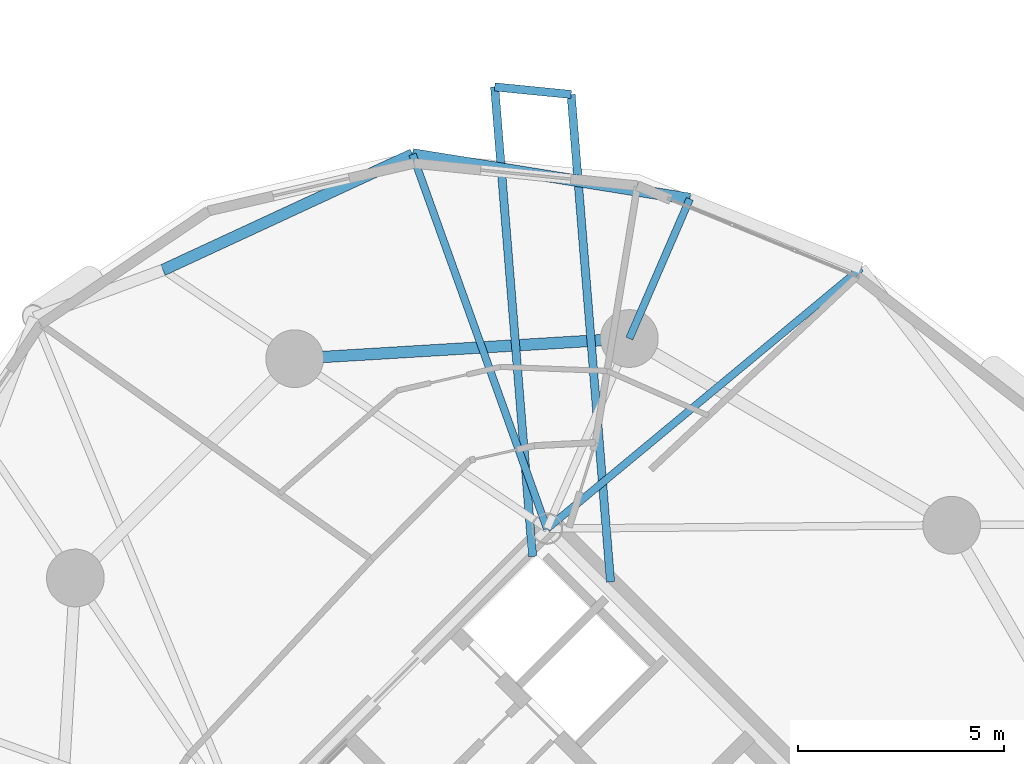
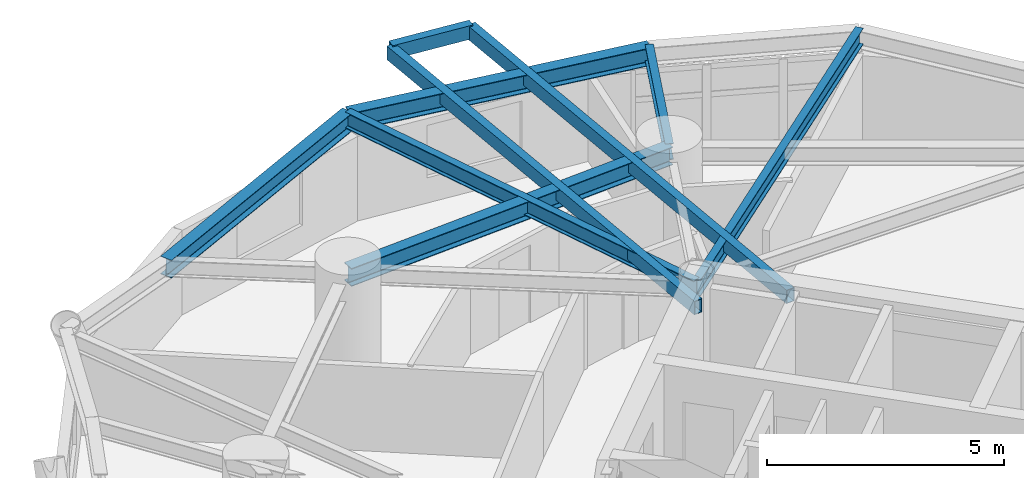
# One storey, part 6 of 17: 9 beams.
"""IFC4 building model written with IfcOpenShell, lengths in metres."""

from ifc_helpers import new_model, si_unit, direction, frame, origin, origin_2d, place, context, subcontext, project, spatial, hollow_rectangle, i_section, extrude, material, material_profile, profile_set, type_object, element, save


model = new_model("IFC4")

# Units and contexts
model_context = context("Model", 3, precision=1e-05, world=origin(), true_north=direction((0.0, 1.0)))
body_context = subcontext(model_context, "Body", "Model", "MODEL_VIEW")
ifc_project = project(units=[si_unit("LENGTHUNIT", "METRE"), si_unit("AREAUNIT", "SQUARE_METRE"), si_unit("VOLUMEUNIT", "CUBIC_METRE"), si_unit("PLANEANGLEUNIT", "RADIAN"), si_unit("MASSUNIT", "GRAM", prefix="KILO")], contexts=[model_context])

# Site, building, storey
site_placement = place(None, origin())
site = spatial("IfcSite", under=ifc_project, at=site_placement, CompositionType="ELEMENT")
building_placement = place(site_placement, origin())
building = spatial("IfcBuilding", under=site, at=building_placement, Name="Cununo Teusaquillo Station Towers", CompositionType="ELEMENT")
storey_placement = place(building_placement, frame((0.0, 0.0, 107.97998046875)))
storey = spatial("IfcBuildingStorey", under=building, at=storey_placement, Name="L34", CompositionType="ELEMENT", Elevation=107.97998046875)

# Beams
ifc_material_1 = material(Name="Steel EN 10025-2 S355J2", Category="steel")
ifc_material_profile_1 = material_profile(ifc_material_1, hollow_rectangle(XDim=0.199951171875, YDim=0.35009765625, WallThickness=0.013916015625, at=origin_2d()), Name="RHS 350x200x14")
ifc_profile_set_1 = profile_set([ifc_material_profile_1], Name="Steel EN 10025-2 S355J2")
beam_type_1 = type_object("IfcBeamType", Name="BM-BAL-CANT", PredefinedType="BEAM", material=ifc_profile_set_1)
beam_1_placement = place(storey_placement, frame((57.835205078125, 31.73095703125, 2.4951171875), z_axis=(-0.080635166538, 0.996743683159, 0.0), x_axis=(-0.996743683159, -0.080635166538, 0.0)))
element("IfcBeam", 1, at=beam_1_placement, inside=storey, type_object=beam_type_1, Name="L34 Tower B Balcony Cantilever Bracket 1A", PredefinedType="BEAM", context=body_context, shape_type="SweptSolid", body=[
    extrude(hollow_rectangle(XDim=0.199951171875, YDim=0.35009765625, WallThickness=0.013916015625, at=origin_2d()), origin(), (0.0, 0.0, 1.0), 11.862548828125),
])
beam_2_placement = place(storey_placement, frame((55.945068359375, 32.349609375, 2.4951171875), z_axis=(-0.080615645749, 0.996745262171, 0.0), x_axis=(-0.996745262171, -0.080615645749, 0.0)))
element("IfcBeam", 2, at=beam_2_placement, inside=storey, type_object=beam_type_1, Name="L34 Tower B Balcony Cantilever Bracket 1B", PredefinedType="BEAM", context=body_context, shape_type="SweptSolid", body=[
    extrude(hollow_rectangle(XDim=0.199951171875, YDim=0.35009765625, WallThickness=0.013916015625, at=origin_2d()), origin(), (0.0, 0.0, 1.0), 11.42626953125),
])
ifc_material_2 = material(Name="Steel ASTM A572 Grade 50", Category="steel")
ifc_material_profile_2 = material_profile(ifc_material_2, i_section(OverallWidth=0.180908203125, OverallDepth=0.4169921875, WebThickness=0.010986328125, FlangeThickness=0.018310546875, FilletRadius=0.012939453125, at=origin_2d()), Name="W16X57")
ifc_profile_set_2 = profile_set([ifc_material_profile_2], Name="Steel ASTM A572 Grade 50")
beam_type_2 = type_object("IfcBeamType", Name="BM-JOIST-1", PredefinedType="JOIST", material=ifc_profile_set_2)
beam_3_placement = place(storey_placement, frame((56.29443359375, 33.024169921875, 2.46142578125), z_axis=(0.769727799615, 0.638372238196, 0.0), x_axis=(-0.638372238196, 0.769727799615, 0.0)))
element("IfcBeam", 3, at=beam_3_placement, inside=storey, type_object=beam_type_2, Name="L34 Tower B Radial Spandrel Joist V01", PredefinedType="JOIST", context=body_context, shape_type="SweptSolid", body=[
    extrude(i_section(OverallWidth=0.180908203125, OverallDepth=0.4169921875, WebThickness=0.010986328125, FlangeThickness=0.018310546875, FilletRadius=0.012939453125, at=origin_2d()), origin(), (0.0, 0.0, 1.0), 9.895263671875),
])
beam_4_placement = place(storey_placement, frame((56.29443359375, 33.024169921875, 2.46142578125), z_axis=(-0.338176312038, 0.941082771055, 0.0), x_axis=(-0.941082771055, -0.338176312038, 0.0)))
element("IfcBeam", 4, at=beam_4_placement, inside=storey, type_object=beam_type_2, Name="L34 Tower B Radial Spandrel Joist V03", PredefinedType="JOIST", context=body_context, shape_type="SweptSolid", body=[
    extrude(i_section(OverallWidth=0.180908203125, OverallDepth=0.4169921875, WebThickness=0.010986328125, FlangeThickness=0.018310546875, FilletRadius=0.012939453125, at=origin_2d()), origin(), (0.0, 0.0, 1.0), 9.646484375),
])
ifc_material_3 = material(Name="Steel ASTM A572 Grade 50", Category="steel")
ifc_material_profile_3 = material_profile(ifc_material_3, i_section(OverallWidth=0.180908203125, OverallDepth=0.4169921875, WebThickness=0.010986328125, FlangeThickness=0.018310546875, FilletRadius=0.012939453125, at=origin_2d()), Name="W16X57")
ifc_profile_set_3 = profile_set([ifc_material_profile_3], Name="Steel ASTM A572 Grade 50")
beam_type_3 = type_object("IfcBeamType", Name="BM-RAD-G2", PredefinedType="BEAM", material=ifc_profile_set_3)
beam_5_placement = place(storey_placement, frame((58.291015625, 37.63525390625, 2.46142578125), z_axis=(0.397421761279, 0.917636062751, 0.0), x_axis=(-0.917636062751, 0.397421761279, 0.0)))
element("IfcBeam", 5, at=beam_5_placement, inside=storey, type_object=beam_type_3, Name="L34 Tower B Perimeter Overhang Girder 02B", PredefinedType="BEAM", context=body_context, shape_type="SweptSolid", body=[
    extrude(i_section(OverallWidth=0.180908203125, OverallDepth=0.4169921875, WebThickness=0.010986328125, FlangeThickness=0.018310546875, FilletRadius=0.012939453125, at=origin_2d()), origin(), (0.0, 0.0, 1.0), 3.690185546875),
])
ifc_material_4 = material(Name="Steel ASTM A572 Grade 50", Category="steel")
ifc_material_profile_4 = material_profile(ifc_material_4, i_section(OverallWidth=0.280029296875, OverallDepth=0.462890625, WebThickness=0.0107421875, FlangeThickness=0.017333984375, FilletRadius=0.013916015625, at=origin_2d()), Name="W18X76")
ifc_profile_set_4 = profile_set([ifc_material_profile_4], Name="Steel ASTM A572 Grade 50")
beam_type_4 = type_object("IfcBeamType", Name="BM-RING-Z2", PredefinedType="SPANDREL", material=ifc_profile_set_4)
beam_6_placement = place(storey_placement, frame((58.291015625, 37.63525390625, 2.4384765625), z_axis=(-0.998190567048, -0.06012979176, 0.0), x_axis=(0.06012979176, -0.998190567048, 0.0)))
element("IfcBeam", 6, at=beam_6_placement, inside=storey, type_object=beam_type_4, Name="L34 Tower B Structural Column Ring Girder 02", PredefinedType="SPANDREL", context=body_context, shape_type="SweptSolid", body=[
    extrude(i_section(OverallWidth=0.280029296875, OverallDepth=0.462890625, WebThickness=0.0107421875, FlangeThickness=0.017333984375, FilletRadius=0.013916015625, at=origin_2d()), origin(), (0.0, 0.0, 1.0), 8.132568359375),
])
beam_7_placement = place(storey_placement, frame((59.757568359375, 41.021484375, 2.4384765625), z_axis=(-0.987331474246, 0.158671232312, 0.0), x_axis=(-0.158671232312, -0.987331474246, 0.0)))
element("IfcBeam", 7, at=beam_7_placement, inside=storey, type_object=beam_type_4, Name="L34 Tower B Spandrel Ring Beam 03", PredefinedType="SPANDREL", context=body_context, shape_type="SweptSolid", body=[
    extrude(i_section(OverallWidth=0.280029296875, OverallDepth=0.462890625, WebThickness=0.0107421875, FlangeThickness=0.017333984375, FilletRadius=0.013916015625, at=origin_2d()), origin(), (0.0, 0.0, 1.0), 6.8115234375),
])
beam_8_placement = place(storey_placement, frame((53.0322265625, 42.102294921875, 2.4384765625), z_axis=(-0.907275870354, -0.420535961689, 0.0), x_axis=(0.420535961689, -0.907275870354, 0.0)))
element("IfcBeam", 8, at=beam_8_placement, inside=storey, type_object=beam_type_4, Name="L34 Tower B Spandrel Ring Beam 04", PredefinedType="SPANDREL", context=body_context, shape_type="SweptSolid", body=[
    extrude(i_section(OverallWidth=0.280029296875, OverallDepth=0.462890625, WebThickness=0.0107421875, FlangeThickness=0.017333984375, FilletRadius=0.013916015625, at=origin_2d()), origin(), (0.0, 0.0, 1.0), 6.671142578125),
])
ifc_material_5 = material(Name="Steel EN 10025-2 S355J2", Category="steel")
ifc_material_profile_5 = material_profile(ifc_material_5, hollow_rectangle(XDim=0.199951171875, YDim=0.35009765625, WallThickness=0.013916015625, at=origin_2d()), Name="RHS 350x200x14")
ifc_profile_set_5 = profile_set([ifc_material_profile_5], Name="Steel EN 10025-2 S355J2")
beam_type_5 = type_object("IfcBeamType", Name="BM-STAIR-TRIM", PredefinedType="BEAM", material=ifc_profile_set_5)
beam_9_placement = place(storey_placement, frame((56.878662109375, 43.554931640625, 2.52490234375), z_axis=(-0.995123704518, 0.098634743912, 0.0), x_axis=(-0.098634743912, -0.995123704518, 0.0)))
element("IfcBeam", 9, at=beam_9_placement, inside=storey, type_object=beam_type_5, Name="L34 Tower B Balcony Edge Trimmer Beam 1", PredefinedType="BEAM", context=body_context, shape_type="SweptSolid", body=[
    extrude(hollow_rectangle(XDim=0.199951171875, YDim=0.35009765625, WallThickness=0.013916015625, at=origin_2d()), origin(), (0.0, 0.0, 1.0), 1.86376953125),
])

save(model, "model.ifc")
